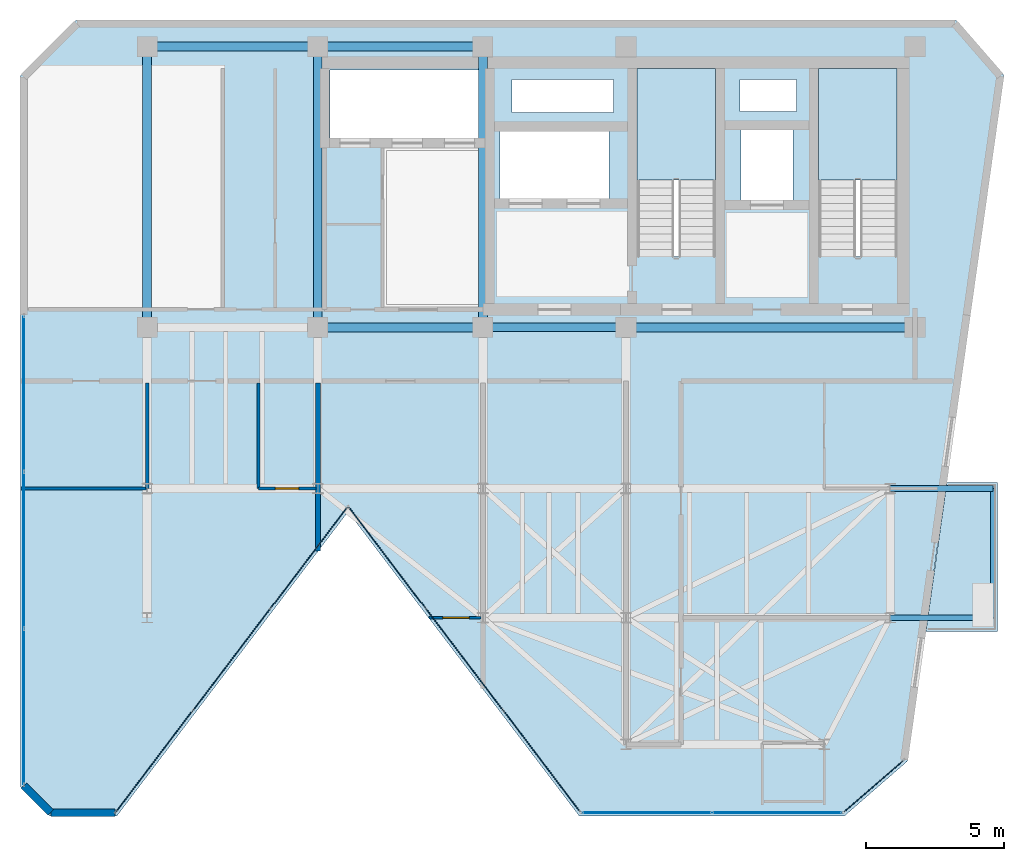
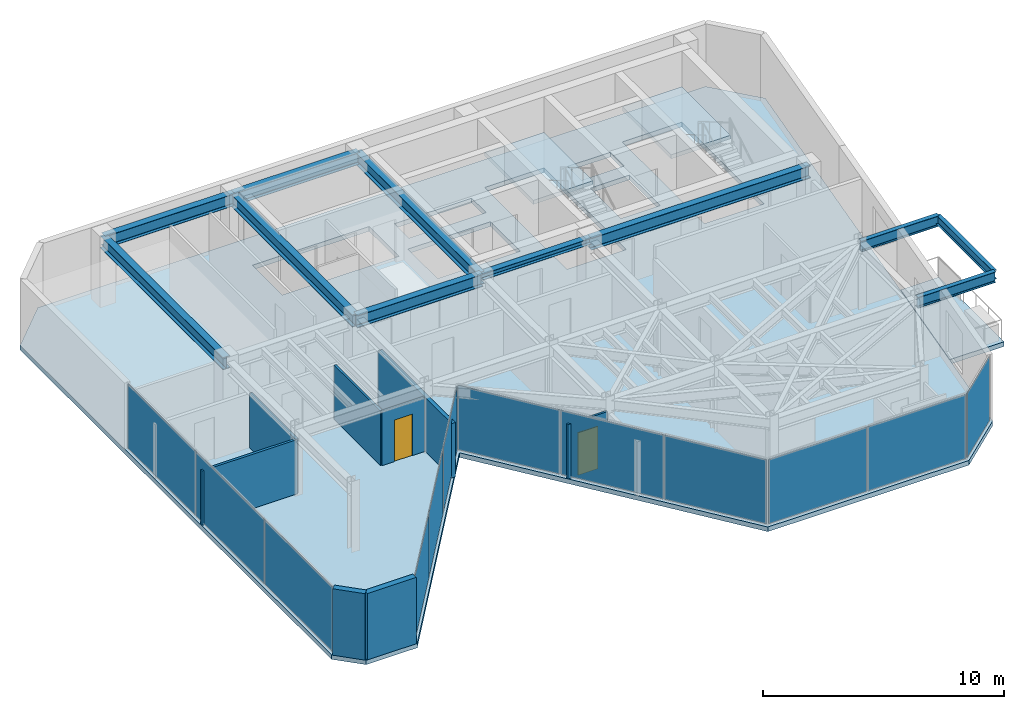
# One storey, part 12 of 16: 12 plates, 11 beams, 8 walls, 4 slabs, 2 doors, 2 openings, 7 elements without a shape of their own.
"""IFC4 building model written with IfcOpenShell, lengths in metres."""

from ifc_helpers import new_model, si_unit, direction, frame, frame_2d, origin, origin_2d, place, context, subcontext, project, spatial, polyline, rectangle, i_section, outline, extrude, material, layer, layer_set, material_profile, profile_set, type_object, element, fill, aggregate, save


model = new_model("IFC4")

# Units and contexts
model_context = context("Model", 3, precision=1e-05, world=origin(), true_north=direction((0.0, 1.0)))
body_context = subcontext(model_context, "Body", "Model", "MODEL_VIEW")
ifc_project = project(units=[si_unit("LENGTHUNIT", "METRE"), si_unit("AREAUNIT", "SQUARE_METRE"), si_unit("VOLUMEUNIT", "CUBIC_METRE"), si_unit("PLANEANGLEUNIT", "RADIAN"), si_unit("MASSUNIT", "GRAM", prefix="KILO")], contexts=[model_context])

# Site, building, storey
site_placement = place(None, origin())
site = spatial("IfcSite", under=ifc_project, at=site_placement, CompositionType="ELEMENT")
building_placement = place(site_placement, origin())
building = spatial("IfcBuilding", under=site, at=building_placement, Name="Kravanh Interchange Tower", CompositionType="ELEMENT")
storey_placement = place(building_placement, frame((0.0, 0.0, 300.300048828125)))
storey = spatial("IfcBuildingStorey", under=building, at=storey_placement, Name="L74", CompositionType="ELEMENT", Elevation=300.300048828125)

# Beams
ifc_material_1 = material(Name="Structural Steel S355", Category="steel")
ifc_material_profile_1 = material_profile(ifc_material_1, i_section(OverallWidth=0.323974609375, OverallDepth=0.611083984375, WebThickness=0.0126953125, FlangeThickness=0.01904296875, FilletRadius=0.02197265625, at=origin_2d()), Name="W24X104")
ifc_profile_set_1 = profile_set([ifc_material_profile_1], Name="Structural Steel S355")
beam_type_1 = type_object("IfcBeamType", Name="Floor Beam W24X104 Structural Steel S355", PredefinedType="BEAM", material=ifc_profile_set_1)
beam_1_placement = place(storey_placement, frame((66.5, 37.35009765625, 3.0595703125), z_axis=(-1.0, 0.0, 0.0), x_axis=(0.0, -1.0, 0.0)))
element("IfcBeam", 1, at=beam_1_placement, inside=storey, type_object=beam_type_1, Name="L74 Primary Floor Girder 32", PredefinedType="BEAM", context=body_context, shape_type="SweptSolid", body=[
    extrude(i_section(OverallWidth=0.323974609375, OverallDepth=0.611083984375, WebThickness=0.0126953125, FlangeThickness=0.01904296875, FilletRadius=0.02197265625, at=origin_2d()), origin(), (0.0, 0.0, 1.0), 10.5),
])
beam_2_placement = place(storey_placement, frame((50.800048828125, 47.550048828125, 3.0595703125), z_axis=(-1.0, 0.0, 0.0), x_axis=(0.0, -1.0, 0.0)))
element("IfcBeam", 2, at=beam_2_placement, inside=storey, type_object=beam_type_1, Name="L74 Primary Floor Girder 34", PredefinedType="BEAM", context=body_context, shape_type="SweptSolid", body=[
    extrude(i_section(OverallWidth=0.323974609375, OverallDepth=0.611083984375, WebThickness=0.0126953125, FlangeThickness=0.01904296875, FilletRadius=0.02197265625, at=origin_2d()), origin(), (0.0, 0.0, 1.0), 6.0),
])
beam_3_placement = place(storey_placement, frame((50.800048828125, 47.550048828125, 3.0595703125), z_axis=(0.0, -1.0, 0.0), x_axis=(1.0, 0.0, 0.0)))
element("IfcBeam", 3, at=beam_3_placement, inside=storey, type_object=beam_type_1, Name="L74 Primary Floor Girder 35", PredefinedType="BEAM", context=body_context, shape_type="SweptSolid", body=[
    extrude(i_section(OverallWidth=0.323974609375, OverallDepth=0.611083984375, WebThickness=0.0126953125, FlangeThickness=0.01904296875, FilletRadius=0.02197265625, at=origin_2d()), origin(), (0.0, 0.0, 1.0), 10.199951171875),
])
beam_4_placement = place(storey_placement, frame((50.800048828125, 37.35009765625, 3.0595703125), z_axis=(-1.0, 0.0, 0.0), x_axis=(0.0, -1.0, 0.0)))
element("IfcBeam", 4, at=beam_4_placement, inside=storey, type_object=beam_type_1, Name="L74 Primary Floor Girder 36", PredefinedType="BEAM", context=body_context, shape_type="SweptSolid", body=[
    extrude(i_section(OverallWidth=0.323974609375, OverallDepth=0.611083984375, WebThickness=0.0126953125, FlangeThickness=0.01904296875, FilletRadius=0.02197265625, at=origin_2d()), origin(), (0.0, 0.0, 1.0), 6.0),
])
beam_5_placement = place(storey_placement, frame((44.800048828125, 37.35009765625, 3.0595703125), z_axis=(0.0, 1.0, 0.0), x_axis=(-1.0, 0.0, 0.0)))
element("IfcBeam", 5, at=beam_5_placement, inside=storey, type_object=beam_type_1, Name="L74 Primary Floor Girder 38", PredefinedType="BEAM", context=body_context, shape_type="SweptSolid", body=[
    extrude(i_section(OverallWidth=0.323974609375, OverallDepth=0.611083984375, WebThickness=0.0126953125, FlangeThickness=0.01904296875, FilletRadius=0.02197265625, at=origin_2d()), origin(), (0.0, 0.0, 1.0), 10.199951171875),
])
beam_6_placement = place(storey_placement, frame((44.800048828125, 47.550048828125, 3.0595703125), z_axis=(-1.0, 0.0, 0.0), x_axis=(0.0, -1.0, 0.0)))
element("IfcBeam", 6, at=beam_6_placement, inside=storey, type_object=beam_type_1, Name="L74 Primary Floor Girder 39", PredefinedType="BEAM", context=body_context, shape_type="SweptSolid", body=[
    extrude(i_section(OverallWidth=0.323974609375, OverallDepth=0.611083984375, WebThickness=0.0126953125, FlangeThickness=0.01904296875, FilletRadius=0.02197265625, at=origin_2d()), origin(), (0.0, 0.0, 1.0), 6.199951171875),
])
beam_7_placement = place(storey_placement, frame((38.60009765625, 37.35009765625, 3.0595703125), z_axis=(0.0, 1.0, 0.0), x_axis=(-1.0, 0.0, 0.0)))
element("IfcBeam", 7, at=beam_7_placement, inside=storey, type_object=beam_type_1, Name="L74 Primary Floor Girder 40", PredefinedType="BEAM", context=body_context, shape_type="SweptSolid", body=[
    extrude(i_section(OverallWidth=0.323974609375, OverallDepth=0.611083984375, WebThickness=0.0126953125, FlangeThickness=0.01904296875, FilletRadius=0.02197265625, at=origin_2d()), origin(), (0.0, 0.0, 1.0), 10.199951171875),
])
ifc_material_2 = material(Name="Structural Steel S355", Category="steel")
ifc_material_profile_2 = material_profile(ifc_material_2, i_section(OverallWidth=0.18994140625, OverallDepth=0.45703125, WebThickness=0.009033203125, FlangeThickness=0.014404296875, FilletRadius=0.01806640625, at=origin_2d()), Name="W18X50")
ifc_profile_set_2 = profile_set([ifc_material_profile_2], Name="Structural Steel S355")
beam_type_2 = type_object("IfcBeamType", Name="Floor Joist W18X50 Structural Steel S355", PredefinedType="JOIST", material=ifc_profile_set_2)
beam_8_placement = place(storey_placement, frame((69.330078125, 26.800048828125, 3.136474609375), z_axis=(0.0, 1.0, 0.0), x_axis=(-1.0, 0.0, 0.0)))
element("IfcBeam", 8, at=beam_8_placement, inside=storey, type_object=beam_type_2, Name="L74 Balcony Edge Tie Beam E", PredefinedType="JOIST", context=body_context, shape_type="SweptSolid", body=[
    extrude(i_section(OverallWidth=0.18994140625, OverallDepth=0.45703125, WebThickness=0.009033203125, FlangeThickness=0.014404296875, FilletRadius=0.01806640625, at=origin_2d()), origin(), (0.0, 0.0, 1.0), 4.699951171875),
])
ifc_material_3 = material(Name="Structural Steel S355", Category="steel")
ifc_material_profile_3 = material_profile(ifc_material_3, i_section(OverallWidth=0.304931640625, OverallDepth=0.306884765625, WebThickness=0.010009765625, FlangeThickness=0.015380859375, FilletRadius=0.014892578125, at=origin_2d()), Name="W12X65")
ifc_profile_set_3 = profile_set([ifc_material_profile_3], Name="Structural Steel S355")
beam_type_3 = type_object("IfcBeamType", Name="Floor Lintel W12X65 Structural Steel S355", PredefinedType="LINTEL", material=ifc_profile_set_3)
beam_9_placement = place(storey_placement, frame((50.800048828125, 37.35009765625, 3.21142578125), z_axis=(1.0, 0.0, 0.0), x_axis=(0.0, 1.0, 0.0)))
element("IfcBeam", 9, at=beam_9_placement, inside=storey, type_object=beam_type_3, Name="L74 Core Coupling Lintel 1", PredefinedType="LINTEL", context=body_context, shape_type="SweptSolid", body=[
    extrude(i_section(OverallWidth=0.304931640625, OverallDepth=0.306884765625, WebThickness=0.010009765625, FlangeThickness=0.015380859375, FilletRadius=0.014892578125, at=origin_2d()), origin(), (0.0, 0.0, 1.0), 5.199951171875),
])
ifc_material_4 = material(Name="Structural Steel S355", Category="steel")
ifc_material_profile_4 = material_profile(ifc_material_4, i_section(OverallWidth=0.2099609375, OverallDepth=0.537109375, WebThickness=0.010986328125, FlangeThickness=0.017333984375, FilletRadius=0.02001953125, at=origin_2d()), Name="W21X68")
ifc_profile_set_4 = profile_set([ifc_material_profile_4], Name="Structural Steel S355")
beam_type_4 = type_object("IfcBeamType", Name="Floor Spandrel W21X68 Structural Steel S355", PredefinedType="SPANDREL", material=ifc_profile_set_4)
for number, where, z_axis, x_axis, name in (
    (10, (65.60009765625, 26.800048828125, 3.096435546875), (1.0, 0.0, 0.0), (0.0, 1.0, 0.0), "L74 Balcony Cantilever Outrigger E1"),
    (11, (65.60009765625, 31.5, 3.096435546875), (1.0, 0.0, 0.0), (0.0, 1.0, 0.0), "L74 Balcony Cantilever Outrigger E2"),
):
    element("IfcBeam", number, at=place(storey_placement, frame(where, z_axis=z_axis, x_axis=x_axis)), inside=storey, type_object=beam_type_4, Name=name, PredefinedType="SPANDREL", context=body_context, shape_type="SweptSolid", body=[
        extrude(i_section(OverallWidth=0.2099609375, OverallDepth=0.537109375, WebThickness=0.010986328125, FlangeThickness=0.017333984375, FilletRadius=0.02001953125, at=origin_2d()), origin(), (0.0, 0.0, 1.0), 3.72998046875),
    ])

# Curtain wall, plates
ifc_material_5 = material(Name="Anodised Bronze Aluminium", Category="aluminium")
ifc_layer_1 = layer(ifc_material_5, 0.179931640625)
ifc_layer_set_1 = layer_set([ifc_layer_1], Name="Unitised Curtain Wall System CW-HTL Luxury Hotel")
curtain_wall_type = type_object("IfcCurtainWallType", Name="Unitised Curtain Wall System CW-HTL Luxury Hotel", PredefinedType="NOTDEFINED", material=ifc_layer_set_1)
curtain_wall_1_placement = place(storey_placement, origin())
curtain_wall_1 = element("IfcCurtainWall", 12, at=curtain_wall_1_placement, inside=storey, type_object=curtain_wall_type, Name="L74 Unitised Curtain Wall CW-L74-01", PredefinedType="NOTDEFINED")
ifc_material_6 = material(Name="Low-E Laminated Architectural Glass", Category="glass")
ifc_layer_2 = layer(ifc_material_6, 0.030029296875)
ifc_layer_set_2 = layer_set([ifc_layer_2], Name="Acoustic Laminated Glazing 30mm")
plate_type = type_object("IfcPlateType", Name="Acoustic Laminated Glazing 30mm", PredefinedType="CURTAIN_PANEL", material=ifc_layer_set_2)
plate_1_placement = place(storey_placement, frame((34.1201171875, 23.564697265625, 0.059814453125), z_axis=(0.0, 0.0, 1.0), x_axis=(0.0, 1.0, 0.0)))
plate_1 = element("IfcPlate", 13, at=plate_1_placement, type_object=plate_type, Name="CW-HTL panel 1.1", PredefinedType="CURTAIN_PANEL", context=body_context, shape_type="SweptSolid", body=[
    extrude(rectangle(XDim=5.610107421875, YDim=0.030029296875, at=origin_2d()), origin(), (0.0, 0.0, 1.0), 3.2451171875),
])
plate_2_placement = place(storey_placement, frame((34.1201171875, 29.249755859375, 0.059814453125), z_axis=(0.0, 0.0, 1.0), x_axis=(0.0, 1.0, 0.0)))
plate_2 = element("IfcPlate", 14, at=plate_2_placement, type_object=plate_type, Name="CW-HTL panel 2.1", PredefinedType="CURTAIN_PANEL", context=body_context, shape_type="SweptSolid", body=[
    extrude(rectangle(XDim=5.64013671875, YDim=0.030029296875, at=origin_2d()), origin(), (0.0, 0.0, 1.0), 3.2451171875),
])
plate_3_placement = place(storey_placement, frame((34.1201171875, 34.93505859375, 0.059814453125), z_axis=(0.0, 0.0, 1.0), x_axis=(0.0, 1.0, 0.0)))
plate_3 = element("IfcPlate", 15, at=plate_3_placement, type_object=plate_type, Name="CW-HTL panel 3.1", PredefinedType="CURTAIN_PANEL", context=body_context, shape_type="SweptSolid", body=[
    extrude(rectangle(XDim=5.610107421875, YDim=0.030029296875, at=origin_2d()), origin(), (0.0, 0.0, 1.0), 3.2451171875),
])
aggregate(curtain_wall_1, [plate_1, plate_2, plate_3])

# Curtain wall, plate
curtain_wall_2_placement = place(storey_placement, origin())
curtain_wall_2 = element("IfcCurtainWall", 16, at=curtain_wall_2_placement, inside=storey, type_object=curtain_wall_type, Name="L74 Unitised Curtain Wall CW-L74-02", PredefinedType="NOTDEFINED")
plate_4_placement = place(storey_placement, frame((64.998779296875, 20.680908203125, 0.059814453125), z_axis=(0.0, 0.0, 1.0), x_axis=(-0.754717231494, -0.656050227106, 0.0)))
plate_4 = element("IfcPlate", 17, at=plate_4_placement, type_object=plate_type, Name="CW-HTL panel 1.1", PredefinedType="CURTAIN_PANEL", context=body_context, shape_type="SweptSolid", body=[
    extrude(rectangle(XDim=2.80908203125, YDim=0.030029296875, at=origin_2d()), origin(), (0.0, 0.0, 1.0), 3.2451171875),
])
aggregate(curtain_wall_2, [plate_4])

# Curtain wall, plates
curtain_wall_3_placement = place(storey_placement, origin())
curtain_wall_3 = element("IfcCurtainWall", 18, at=curtain_wall_3_placement, inside=storey, type_object=curtain_wall_type, Name="L74 Unitised Curtain Wall CW-L74-03", PredefinedType="NOTDEFINED")
plate_5_placement = place(storey_placement, frame((61.4951171875, 19.719970703125, 0.059814453125), z_axis=(0.0, 0.0, 1.0), x_axis=(-1.0, 0.0, 0.0)))
plate_5 = element("IfcPlate", 19, at=plate_5_placement, type_object=plate_type, Name="CW-HTL panel 1.1", PredefinedType="CURTAIN_PANEL", context=body_context, shape_type="SweptSolid", body=[
    extrude(rectangle(XDim=4.677001953125, YDim=0.030029296875, at=origin_2d()), origin(), (0.0, 0.0, 1.0), 3.2451171875),
])
plate_6_placement = place(storey_placement, frame((56.758056640625, 19.719970703125, 0.059814453125), z_axis=(0.0, 0.0, 1.0), x_axis=(-1.0, 0.0, 0.0)))
plate_6 = element("IfcPlate", 20, at=plate_6_placement, type_object=plate_type, Name="CW-HTL panel 2.1", PredefinedType="CURTAIN_PANEL", context=body_context, shape_type="SweptSolid", body=[
    extrude(rectangle(XDim=4.677001953125, YDim=0.030029296875, at=origin_2d()), origin(), (0.0, 0.0, 1.0), 3.2451171875),
])
aggregate(curtain_wall_3, [plate_5, plate_6])

curtain_wall_4_placement = place(storey_placement, origin())
curtain_wall_4 = element("IfcCurtainWall", 21, at=curtain_wall_4_placement, inside=storey, type_object=curtain_wall_type, Name="L74 Unitised Curtain Wall CW-L74-04", PredefinedType="NOTDEFINED")
plate_7_placement = place(storey_placement, frame((52.9404296875, 21.587158203125, 0.059814453125), z_axis=(0.0, 0.0, 1.0), x_axis=(-0.605083992962, 0.796161642797, 0.0)))
plate_7 = element("IfcPlate", 22, at=plate_7_placement, type_object=plate_type, Name="CW-HTL panel 1.1", PredefinedType="CURTAIN_PANEL", context=body_context, shape_type="SweptSolid", body=[
    extrude(rectangle(XDim=4.5703125, YDim=0.030029296875, at=origin_2d()), origin(), (0.0, 0.0, 1.0), 3.2451171875),
])
plate_8_placement = place(storey_placement, frame((50.129638671875, 25.285400390625, 0.059814453125), z_axis=(0.0, 0.0, 1.0), x_axis=(-0.605083992962, 0.796161642797, 0.0)))
plate_8 = element("IfcPlate", 23, at=plate_8_placement, type_object=plate_type, Name="CW-HTL panel 2.1", PredefinedType="CURTAIN_PANEL", context=body_context, shape_type="SweptSolid", body=[
    extrude(rectangle(XDim=4.600341796875, YDim=0.030029296875, at=origin_2d()), origin(), (0.0, 0.0, 1.0), 3.2451171875),
])
plate_9_placement = place(storey_placement, frame((47.319091796875, 28.98388671875, 0.059814453125), z_axis=(0.0, 0.0, 1.0), x_axis=(-0.605083992962, 0.796161642797, 0.0)))
plate_9 = element("IfcPlate", 24, at=plate_9_placement, type_object=plate_type, Name="CW-HTL panel 3.1", PredefinedType="CURTAIN_PANEL", context=body_context, shape_type="SweptSolid", body=[
    extrude(rectangle(XDim=4.5703125, YDim=0.030029296875, at=origin_2d()), origin(), (0.0, 0.0, 1.0), 3.2451171875),
])
aggregate(curtain_wall_4, [plate_7, plate_8, plate_9])

curtain_wall_5_placement = place(storey_placement, origin())
curtain_wall_5 = element("IfcCurtainWall", 25, at=curtain_wall_5_placement, inside=storey, type_object=curtain_wall_type, Name="L74 Unitised Curtain Wall CW-L74-05", PredefinedType="NOTDEFINED")
plate_10_placement = place(storey_placement, frame((44.48095703125, 28.98388671875, 0.059814453125), z_axis=(0.0, 0.0, 1.0), x_axis=(-0.605083992962, -0.796161642797, 0.0)))
plate_10 = element("IfcPlate", 26, at=plate_10_placement, type_object=plate_type, Name="CW-HTL panel 1.1", PredefinedType="CURTAIN_PANEL", context=body_context, shape_type="SweptSolid", body=[
    extrude(rectangle(XDim=4.5703125, YDim=0.030029296875, at=origin_2d()), origin(), (0.0, 0.0, 1.0), 3.2451171875),
])
plate_11_placement = place(storey_placement, frame((41.670166015625, 25.285400390625, 0.059814453125), z_axis=(0.0, 0.0, 1.0), x_axis=(-0.605083992962, -0.796161642797, 0.0)))
plate_11 = element("IfcPlate", 27, at=plate_11_placement, type_object=plate_type, Name="CW-HTL panel 2.1", PredefinedType="CURTAIN_PANEL", context=body_context, shape_type="SweptSolid", body=[
    extrude(rectangle(XDim=4.600341796875, YDim=0.030029296875, at=origin_2d()), origin(), (0.0, 0.0, 1.0), 3.2451171875),
])
plate_12_placement = place(storey_placement, frame((38.859375, 21.587158203125, 0.059814453125), z_axis=(0.0, 0.0, 1.0), x_axis=(-0.605083992962, -0.796161642797, 0.0)))
plate_12 = element("IfcPlate", 28, at=plate_12_placement, type_object=plate_type, Name="CW-HTL panel 3.1", PredefinedType="CURTAIN_PANEL", context=body_context, shape_type="SweptSolid", body=[
    extrude(rectangle(XDim=4.5703125, YDim=0.030029296875, at=origin_2d()), origin(), (0.0, 0.0, 1.0), 3.2451171875),
])
aggregate(curtain_wall_5, [plate_10, plate_11, plate_12])

# Slab
ifc_material_7 = material(Name="Concrete C50/60", Category="concrete")
ifc_layer_3 = layer(ifc_material_7, 0.235107421875)
ifc_layer_set_3 = layer_set([ifc_layer_3], Name="Composite Floor Slab Concrete C50/60 235mm")
slab_type_1 = type_object("IfcSlabType", Name="Composite Floor Slab Concrete C50/60 235mm", PredefinedType="FLOOR", material=ifc_layer_set_3)
slab_1_placement = place(storey_placement, frame((0.0, 0.0, -0.235107421875)))
element("IfcSlab", 29, at=slab_1_placement, inside=storey, type_object=slab_type_1, Name="L74 Structural Floor Slab", PredefinedType="FLOOR", context=body_context, shape_type="SweptSolid", body=[
    extrude(outline(polyline([(34.0, 20.64990234375), (35.050048828125, 19.60009765625), (37.5, 19.60009765625), (45.89990234375, 30.652587890625), (54.300048828125, 19.60009765625), (63.9384765625, 19.60009765625), (66.216796875, 21.58056640625), (69.7216796875, 46.51953125), (68.0, 48.5), (36.0, 48.5), (34.0, 46.5), (34.0, 20.64990234375)]), holes=[polyline([(65.85009765625, 39.925048828125), (65.85009765625, 46.75), (63.0, 46.75), (63.0, 39.925048828125), (65.85009765625, 39.925048828125)]), polyline([(59.25, 39.925048828125), (59.25, 46.75), (56.39990234375, 46.75), (56.39990234375, 39.925048828125), (59.25, 39.925048828125)]), polyline([(45.239990234375, 44.219970703125), (50.840087890625, 44.219970703125), (50.840087890625, 46.699951171875), (45.239990234375, 46.699951171875), (45.239990234375, 44.219970703125)]), polyline([(51.419921875, 42.02001953125), (55.3798828125, 42.02001953125), (55.3798828125, 44.47998046875), (51.419921875, 44.47998046875), (51.419921875, 42.02001953125)]), polyline([(60.179931640625, 41.97998046875), (62.06005859375, 41.97998046875), (62.06005859375, 44.52001953125), (60.179931640625, 44.52001953125), (60.179931640625, 41.97998046875)]), polyline([(60.14990234375, 45.199951171875), (62.199951171875, 45.199951171875), (62.199951171875, 46.35009765625), (60.14990234375, 46.35009765625), (60.14990234375, 45.199951171875)]), polyline([(51.85009765625, 45.14990234375), (55.550048828125, 45.14990234375), (55.550048828125, 46.35009765625), (51.85009765625, 46.35009765625), (51.85009765625, 45.14990234375)])]), origin(), (0.0, 0.0, 1.0), 0.235107421875),
])

# Stair, slab
ifc_material_8 = material(Name="Concrete C50/60", Category="concrete")
stair_type = type_object("IfcStairType", Name="Core Fire Exit Dogleg Stair Concrete C50/60", PredefinedType="HALF_TURN_STAIR", material=ifc_material_8)
stair_1_placement = place(storey_placement, origin())
stair_1 = element("IfcStair", 30, at=stair_1_placement, inside=storey, type_object=stair_type, Name="L74 Exit Stair ST1", PredefinedType="HALF_TURN_STAIR")
ifc_material_9 = material(Name="Concrete C50/60", Category="concrete")
ifc_layer_4 = layer(ifc_material_9, 0.199951171875)
ifc_layer_set_4 = layer_set([ifc_layer_4], Name="Concrete C50/60 Stair Half-Landing Slab 200mm")
slab_type_2 = type_object("IfcSlabType", Name="Concrete C50/60 Stair Half-Landing Slab 200mm", PredefinedType="LANDING", material=ifc_layer_set_4)
slab_2_placement = place(storey_placement, frame((0.0, 0.0, 1.599853515625)))
slab_2 = element("IfcSlab", 31, at=slab_2_placement, type_object=slab_type_2, Name="ST1 landing 1", PredefinedType="LANDING", context=body_context, shape_type="SweptSolid", body=[
    extrude(outline(polyline([(65.85009765625, 42.699951171875), (65.85009765625, 46.75), (63.0, 46.75), (63.0, 42.699951171875), (65.85009765625, 42.699951171875)])), origin(), (0.0, 0.0, 1.0), 0.2001953125),
])
aggregate(stair_1, [slab_2])

stair_2_placement = place(storey_placement, origin())
stair_2 = element("IfcStair", 32, at=stair_2_placement, inside=storey, type_object=stair_type, Name="L74 Exit Stair ST2", PredefinedType="HALF_TURN_STAIR")
slab_3_placement = place(storey_placement, frame((0.0, 0.0, 1.599853515625)))
slab_3 = element("IfcSlab", 33, at=slab_3_placement, type_object=slab_type_2, Name="ST2 landing 1", PredefinedType="LANDING", context=body_context, shape_type="SweptSolid", body=[
    extrude(outline(polyline([(59.25, 42.699951171875), (59.25, 46.75), (56.39990234375, 46.75), (56.39990234375, 42.699951171875), (59.25, 42.699951171875)])), origin(), (0.0, 0.0, 1.0), 0.2001953125),
])
aggregate(stair_2, [slab_3])

# Slab
ifc_material_10 = material(Name="Concrete C50/60", Category="concrete")
ifc_layer_5 = layer(ifc_material_10, 0.199951171875)
ifc_layer_set_5 = layer_set([ifc_layer_5], Name="Planted Tree Balcony Slab Concrete C50/60 200mm")
slab_type_3 = type_object("IfcSlabType", Name="Planted Tree Balcony Slab Concrete C50/60 200mm", PredefinedType="USERDEFINED", material=ifc_layer_set_5)
slab_4_placement = place(storey_placement, frame((0.0, 0.0, -0.235107421875)))
element("IfcSlab", 34, at=slab_4_placement, inside=storey, type_object=slab_type_3, Name="L74 East Tree Planter Balcony Slab", ObjectType="BALCONY", PredefinedType="USERDEFINED", context=body_context, shape_type="SweptSolid", body=[
    extrude(outline(polyline([(69.489990234375, 31.7099609375), (69.489990234375, 26.31005859375), (66.896484375, 26.31005859375), (67.655517578125, 31.7099609375), (69.489990234375, 31.7099609375)])), origin(), (0.0, 0.0, 1.0), 0.235107421875),
])

# Walls
ifc_material_11 = material(Name="Double Acoustic Gypsum Board and Mineral Wool")
ifc_layer_6 = layer(ifc_material_11, 0.1201171875)
ifc_layer_set_6 = layer_set([ifc_layer_6], Name="Acoustic Office Drywall Partition 120mm")
wall_type_1 = type_object("IfcWallType", Name="Acoustic Office Drywall Partition 120mm", PredefinedType="PARTITIONING", material=ifc_layer_set_6)
wall_1_placement = place(storey_placement, frame((38.60009765625, 31.5, 0.0), z_axis=(0.0, 0.0, 1.0), x_axis=(0.0, 1.0, 0.0)))
element("IfcWall", 35, at=wall_1_placement, inside=storey, type_object=wall_type_1, Name="L74 Interior Partition 15", PredefinedType="PARTITIONING", context=body_context, shape_type="SweptSolid", body=[
    extrude(rectangle(XDim=3.83203125, YDim=0.1201171875, at=frame_2d((1.916015625, 0.0))), origin(), (0.0, 0.0, 1.0), 2.75390625),
])
wall_2_placement = place(storey_placement, frame((34.014892578125, 31.5, 0.0), z_axis=(0.0, 0.0, 1.0), x_axis=(1.0, 0.0, 0.0)))
element("IfcWall", 36, at=wall_2_placement, inside=storey, type_object=wall_type_1, Name="L74 Interior Partition 16", PredefinedType="PARTITIONING", context=body_context, shape_type="SweptSolid", body=[
    extrude(rectangle(XDim=4.585205078125, YDim=0.1201171875, at=frame_2d((2.29248046875, 0.0))), origin(), (0.0, 0.0, 1.0), 2.75390625),
])
ifc_material_12 = material(Name="Moisture-Resistant Gypsum Board and Mineral Wool")
ifc_layer_7 = layer(ifc_material_12, 0.10009765625)
ifc_layer_set_7 = layer_set([ifc_layer_7], Name="En-Suite Moisture-Resistant Partition 100mm")
wall_type_2 = type_object("IfcWallType", Name="En-Suite Moisture-Resistant Partition 100mm", PredefinedType="PARTITIONING", material=ifc_layer_set_7)
wall_3_placement = place(storey_placement, frame((42.64990234375, 31.5, 0.0), z_axis=(0.0, 0.0, 1.0), x_axis=(0.0, 1.0, 0.0)))
element("IfcWall", 37, at=wall_3_placement, inside=storey, type_object=wall_type_2, Name="L74 Interior Partition 24", PredefinedType="PARTITIONING", context=body_context, shape_type="SweptSolid", body=[
    extrude(rectangle(XDim=3.83203125, YDim=0.10009765625, at=frame_2d((1.916015625, 0.0))), origin(), (0.0, 0.0, 1.0), 2.75390625),
])

# Wall, opening, door
wall_4_placement = place(storey_placement, frame((42.64990234375, 31.5, 0.0), z_axis=(0.0, 0.0, 1.0), x_axis=(1.0, 0.0, 0.0)))
wall_4 = element("IfcWall", 38, at=wall_4_placement, inside=storey, type_object=wall_type_2, Name="L74 Interior Partition 25", PredefinedType="PARTITIONING", context=body_context, shape_type="SweptSolid", body=[
    extrude(rectangle(XDim=2.08203125, YDim=0.10009765625, at=frame_2d((1.041015625, 0.0))), origin(), (0.0, 0.0, 1.0), 2.75390625),
])
opening_1_placement = place(wall_4_placement, frame((0.607421875, 0.0, 0.0)))
opening_1 = element("IfcOpeningElement", 39, at=opening_1_placement, cuts=wall_4, Name="Opening D-85", PredefinedType="OPENING", context=body_context, shape_type="SweptSolid", body=[
    extrude(rectangle(XDim=0.85009765625, YDim=2.10009765625, at=frame_2d((0.425048828125, 1.050048828125))), frame((0.0, 0.06005859375, 0.0), z_axis=(0.0, -1.0, 0.0), x_axis=(1.0, 0.0, 0.0)), (0.0, 0.0, 1.0), 0.1201171875),
])
ifc_material_13 = material(Name="Engineered Teak Veneer Timber", Category="wood")
door_type_1 = type_object("IfcDoorType", Name="En-Suite Timber Door 850x2100", OperationType="NOTDEFINED", PredefinedType="DOOR", material=ifc_material_13)
door_1_placement = place(opening_1_placement, origin())
door_1 = element("IfcDoor", 40, at=door_1_placement, inside=storey, type_object=door_type_1, Name="L74 En-suite Bathroom Door", OperationType="SINGLE_SWING_RIGHT", OverallHeight=2.10009765625, OverallWidth=0.85009765625, PredefinedType="DOOR", context=body_context, shape_type="SweptSolid", body=[
    extrude(rectangle(XDim=0.85009765625, YDim=2.10009765625, at=frame_2d((0.425048828125, 1.050048828125))), frame((0.0, 0.02490234375, 0.0), z_axis=(0.0, -1.0, 0.0), x_axis=(1.0, 0.0, 0.0)), (0.0, 0.0, 1.0), 0.050048828125),
])
fill(opening_1, door_1)

wall_5_placement = place(storey_placement, frame((48.8466796875, 26.800048828125, 0.0), z_axis=(0.0, 0.0, 1.0), x_axis=(1.0, 0.0, 0.0)))
wall_5 = element("IfcWall", 41, at=wall_5_placement, inside=storey, type_object=wall_type_2, Name="L74 Interior Partition 27", PredefinedType="PARTITIONING", context=body_context, shape_type="SweptSolid", body=[
    extrude(rectangle(XDim=1.88525390625, YDim=0.10009765625, at=frame_2d((0.942626953125, 0.0))), origin(), (0.0, 0.0, 1.0), 2.75390625),
])
opening_2_placement = place(wall_5_placement, frame((0.501708984375, 0.0, 0.0)))
opening_2 = element("IfcOpeningElement", 42, at=opening_2_placement, cuts=wall_5, Name="Opening D-95", PredefinedType="OPENING", context=body_context, shape_type="SweptSolid", body=[
    extrude(rectangle(XDim=0.949951171875, YDim=2.14990234375, at=frame_2d((0.47509765625, 1.074951171875))), frame((0.0, 0.06005859375, 0.0), z_axis=(0.0, -1.0, 0.0), x_axis=(1.0, 0.0, 0.0)), (0.0, 0.0, 1.0), 0.1201171875),
])
ifc_material_14 = material(Name="Laminate Solid-Core Timber", Category="wood")
door_type_2 = type_object("IfcDoorType", Name="Accessible Restroom Door 950x2150", OperationType="NOTDEFINED", PredefinedType="DOOR", material=ifc_material_14)
door_2_placement = place(opening_2_placement, origin())
door_2 = element("IfcDoor", 43, at=door_2_placement, inside=storey, type_object=door_type_2, Name="L74 Sunroom Alcove Inner Door", OperationType="SINGLE_SWING_LEFT", OverallHeight=2.14990234375, OverallWidth=0.949951171875, PredefinedType="DOOR", context=body_context, shape_type="SweptSolid", body=[
    extrude(rectangle(XDim=0.949951171875, YDim=2.14990234375, at=frame_2d((0.47509765625, 1.074951171875))), frame((0.0, 0.02490234375, 0.0), z_axis=(0.0, -1.0, 0.0), x_axis=(1.0, 0.0, 0.0)), (0.0, 0.0, 1.0), 0.050048828125),
])
fill(opening_2, door_2)

# Walls
ifc_material_15 = material(Name="Insulated Precast Concrete C40/50 with Bronze Cladding", Category="concrete")
ifc_layer_8 = layer(ifc_material_15, 0.280029296875)
ifc_layer_set_8 = layer_set([ifc_layer_8], Name="Exterior Insulated Concrete C40/50 Bronze Spandrel Wall 280mm")
wall_type_3 = type_object("IfcWallType", Name="Exterior Insulated Concrete C40/50 Bronze Spandrel Wall 280mm", PredefinedType="STANDARD", material=ifc_layer_set_8)
wall_6_placement = place(storey_placement, frame((37.4404296875, 19.719970703125, 0.0), z_axis=(0.0, 0.0, 1.0), x_axis=(-1.0, 0.0, 0.0)))
element("IfcWall", 44, at=wall_6_placement, inside=storey, type_object=wall_type_3, Name="L74 Exterior Wall 7", PredefinedType="STANDARD", context=body_context, shape_type="SweptSolid", body=[
    extrude(rectangle(XDim=2.3408203125, YDim=0.280029296875, at=frame_2d((1.17041015625, 0.0))), origin(), (0.0, 0.0, 1.0), 3.364990234375),
])
wall_7_placement = place(storey_placement, frame((35.099609375, 19.719970703125, 0.0), z_axis=(0.0, 0.0, 1.0), x_axis=(-0.707018662703, 0.70719488869, 0.0)))
element("IfcWall", 45, at=wall_7_placement, inside=storey, type_object=wall_type_3, Name="L74 Exterior Wall 8", PredefinedType="STANDARD", context=body_context, shape_type="SweptSolid", body=[
    extrude(rectangle(XDim=1.385498046875, YDim=0.280029296875, at=frame_2d((0.69287109375, 0.0))), origin(), (0.0, 0.0, 1.0), 3.364990234375),
])
ifc_material_16 = material(Name="Autoclaved Aerated Concrete C30/37 Blockwork", Category="masonry")
ifc_layer_9 = layer(ifc_material_16, 0.179931640625)
ifc_layer_set_9 = layer_set([ifc_layer_9], Name="Fire-Rated Lobby and Corridor Wall Concrete C30/37 180mm")
wall_type_4 = type_object("IfcWallType", Name="Fire-Rated Lobby and Corridor Wall Concrete C30/37 180mm", PredefinedType="STANDARD", material=ifc_layer_set_9)
wall_8_placement = place(storey_placement, frame((44.800048828125, 29.22998046875, 0.0), z_axis=(0.0, 0.0, 1.0), x_axis=(0.0, 1.0, 0.0)))
element("IfcWall", 46, at=wall_8_placement, inside=storey, type_object=wall_type_4, Name="L74 Interior Partition 26", PredefinedType="STANDARD", context=body_context, shape_type="SweptSolid", body=[
    extrude(rectangle(XDim=6.10205078125, YDim=0.179931640625, at=frame_2d((3.051025390625, 0.0))), origin(), (0.0, 0.0, 1.0), 2.75390625),
])

save(model, "model.ifc")
